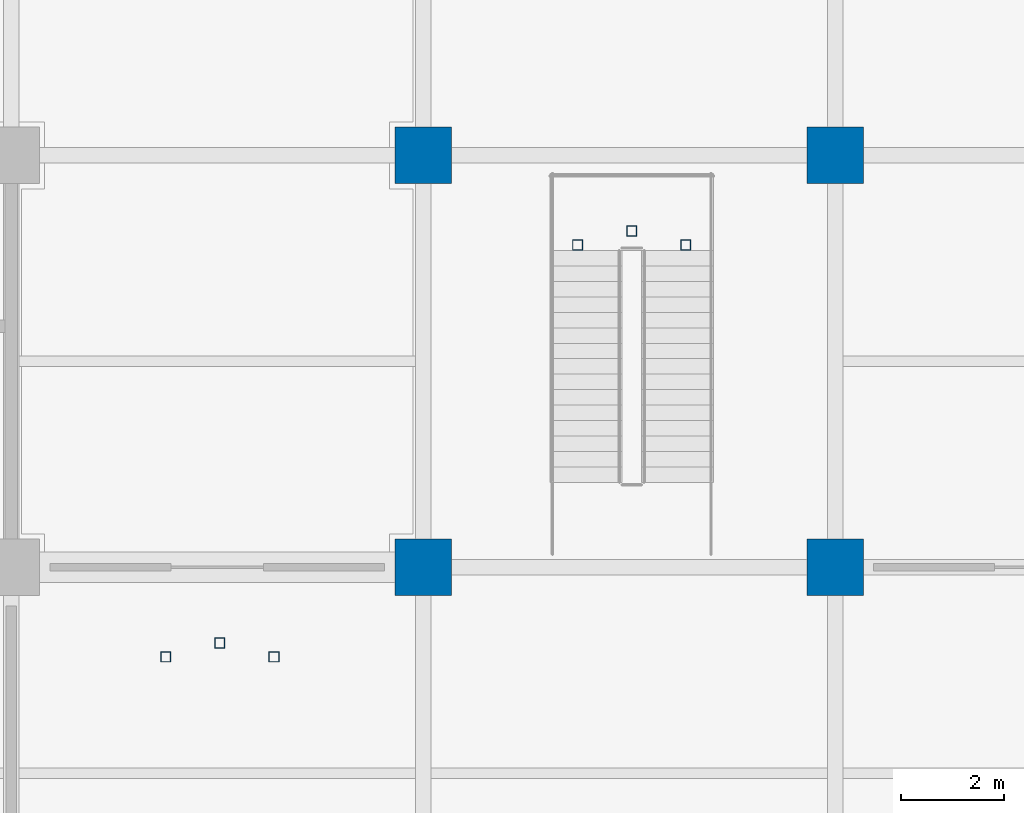
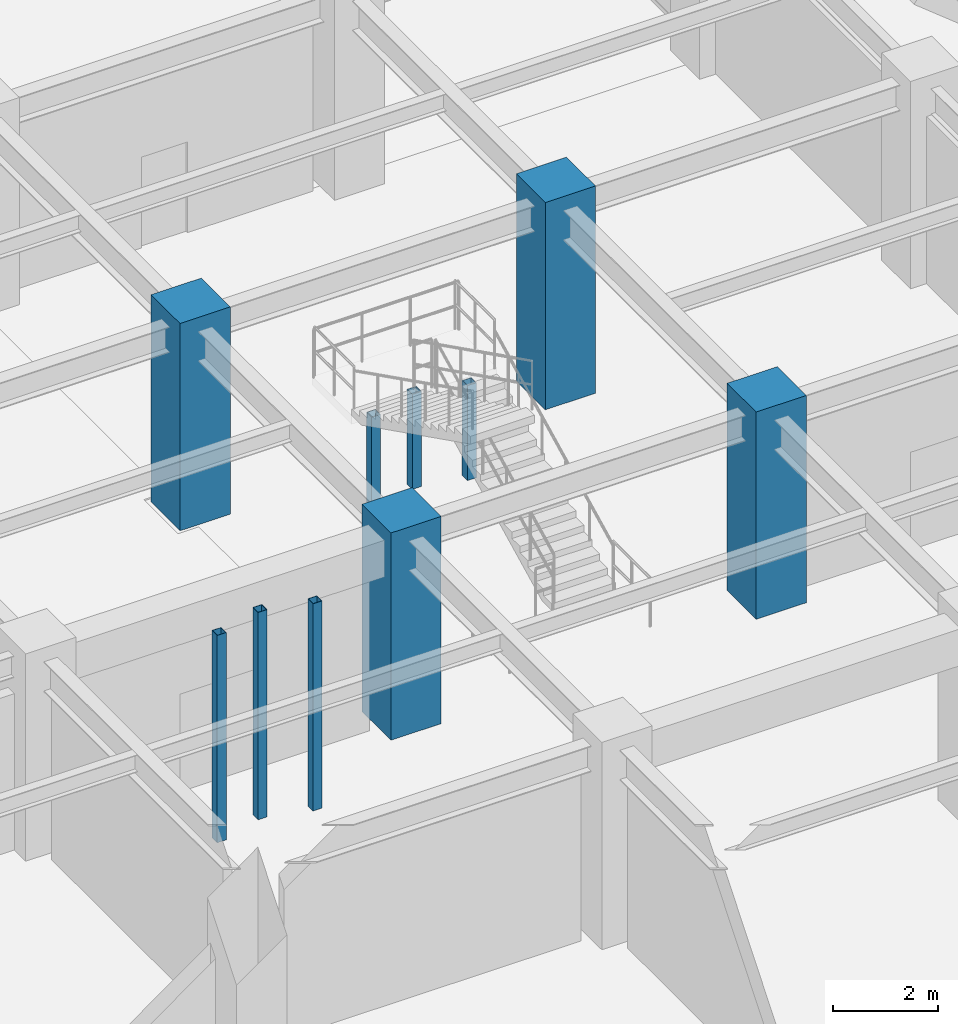
# One storey, part 6 of 125: 10 columns.
"""IFC4 building model written with IfcOpenShell, lengths in metres."""

from ifc_helpers import new_model, si_unit, direction, frame, origin, origin_2d, place, context, subcontext, project, spatial, rectangle, hollow_rectangle, extrude, material, material_profile, profile_set, type_object, element, save


model = new_model("IFC4")

# Units and contexts
model_context = context("Model", 3, precision=1e-05, world=origin(), true_north=direction((0.0, 1.0)))
body_context = subcontext(model_context, "Body", "Model", "MODEL_VIEW")
ifc_project = project(units=[si_unit("LENGTHUNIT", "METRE"), si_unit("AREAUNIT", "SQUARE_METRE"), si_unit("VOLUMEUNIT", "CUBIC_METRE"), si_unit("PLANEANGLEUNIT", "RADIAN"), si_unit("MASSUNIT", "GRAM", prefix="KILO")], contexts=[model_context])

# Site, building, storey
site_placement = place(None, origin())
site = spatial("IfcSite", under=ifc_project, at=site_placement, CompositionType="ELEMENT")
building_placement = place(site_placement, origin())
building = spatial("IfcBuilding", under=site, at=building_placement, Name="Haebicheon Civic Stadium", CompositionType="ELEMENT")
storey_placement = place(building_placement, origin())
storey = spatial("IfcBuildingStorey", under=building, at=storey_placement, Name="L01", CompositionType="ELEMENT", Elevation=0.0)

# Columns
ifc_material_1 = material(Name="Concrete C40/50", Category="concrete")
ifc_material_profile_1 = material_profile(ifc_material_1, rectangle(XDim=1.10009765625, YDim=1.10009765625, at=origin_2d()), Name="RC-COL-1100x1100")
ifc_profile_set_1 = profile_set([ifc_material_profile_1], Name="Concrete C40/50")
column_type_1 = type_object("IfcColumnType", Name="COL-RC-1100", PredefinedType="COLUMN", material=ifc_profile_set_1)
for number, where, z_axis, x_axis, name in (
    (1, (48.0, 80.0, 0.0), (0.0, 0.0, 1.0), (1.0, 0.0, 0.0), "L01 column 7/L"),
    (2, (48.0, 88.0, 0.0), (0.0, 0.0, 1.0), (1.0, 0.0, 0.0), "L01 column 7/M"),
    (3, (56.0, 80.0, 0.0), (0.0, 0.0, 1.0), (1.0, 0.0, 0.0), "L01 column 8/L"),
    (4, (56.0, 88.0, 0.0), (0.0, 0.0, 1.0), (1.0, 0.0, 0.0), "L01 column 8/M"),
):
    element("IfcColumn", number, at=place(storey_placement, frame(where, z_axis=z_axis, x_axis=x_axis)), inside=storey, type_object=column_type_1, material=ifc_profile_set_1, Name=name, PredefinedType="COLUMN", context=body_context, shape_type="SweptSolid", body=[
        extrude(rectangle(XDim=1.10009765625, YDim=1.10009765625, at=origin_2d()), origin(), (0.0, 0.0, 1.0), 4.800048828125),
    ])
ifc_material_2 = material(Name="Steel SM355 (S355)", Category="steel")
ifc_material_profile_2 = material_profile(ifc_material_2, hollow_rectangle(XDim=0.199951171875, YDim=0.199951171875, WallThickness=0.009033203125, at=origin_2d()), Name="RHS-200x200x9.0")
ifc_profile_set_2 = profile_set([ifc_material_profile_2], Name="Steel SM355 (S355)")
column_type_2 = type_object("IfcColumnType", Name="COL-ST-RHS200", PredefinedType="COLUMN", material=ifc_profile_set_2)
for number, where, z_axis, x_axis, name in (
    (5, (51.0, 86.260009765625, 0.0), (0.0, 0.0, 1.0), (1.0, 0.0, 0.0), "VM-02 L01 vomitory landing support post A"),
    (6, (53.10009765625, 86.260009765625, 0.0), (0.0, 0.0, 1.0), (1.0, 0.0, 0.0), "VM-02 L01 vomitory landing support post B"),
    (7, (52.050048828125, 86.530029296875, 0.0), (0.0, 0.0, 1.0), (1.0, 0.0, 0.0), "VM-02 L01 vomitory landing support post C"),
):
    element("IfcColumn", number, at=place(storey_placement, frame(where, z_axis=z_axis, x_axis=x_axis)), inside=storey, type_object=column_type_2, material=ifc_profile_set_2, Name=name, PredefinedType="COLUMN", context=body_context, shape_type="SweptSolid", body=[
        extrude(hollow_rectangle(XDim=0.199951171875, YDim=0.199951171875, WallThickness=0.009033203125, at=origin_2d()), origin(), (0.0, 0.0, 1.0), 2.199951171875),
    ])
for number, where, z_axis, x_axis, name in (
    (8, (43.0, 78.260009765625, 0.0), (0.0, 0.0, 1.0), (1.0, 0.0, 0.0), "VM-04 L01 vomitory landing support post A"),
    (9, (45.10009765625, 78.260009765625, 0.0), (0.0, 0.0, 1.0), (1.0, 0.0, 0.0), "VM-04 L01 vomitory landing support post B"),
    (10, (44.050048828125, 78.530029296875, 0.0), (0.0, 0.0, 1.0), (1.0, 0.0, 0.0), "VM-04 L01 vomitory landing support post C"),
):
    element("IfcColumn", number, at=place(storey_placement, frame(where, z_axis=z_axis, x_axis=x_axis)), inside=storey, type_object=column_type_2, material=ifc_profile_set_2, Name=name, PredefinedType="COLUMN", context=body_context, shape_type="SweptSolid", body=[
        extrude(hollow_rectangle(XDim=0.199951171875, YDim=0.199951171875, WallThickness=0.009033203125, at=origin_2d()), origin(), (0.0, 0.0, 1.0), 4.800048828125),
    ])

save(model, "model.ifc")
